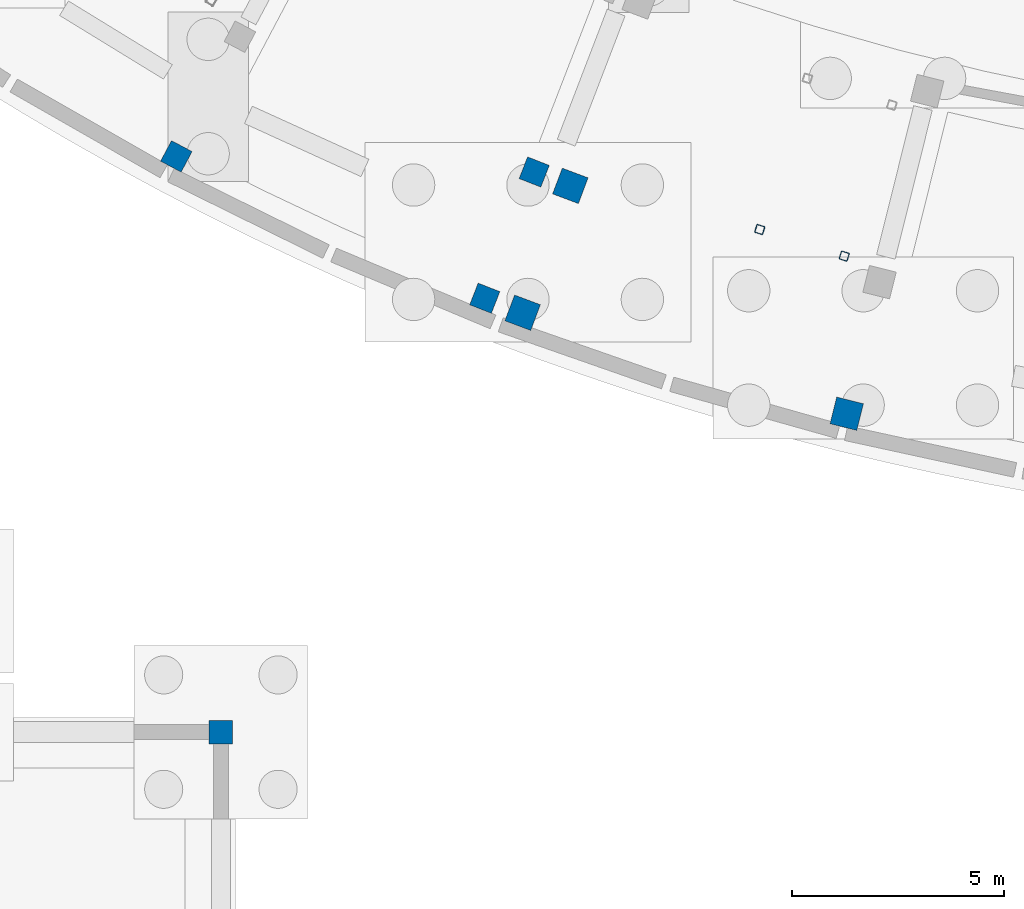
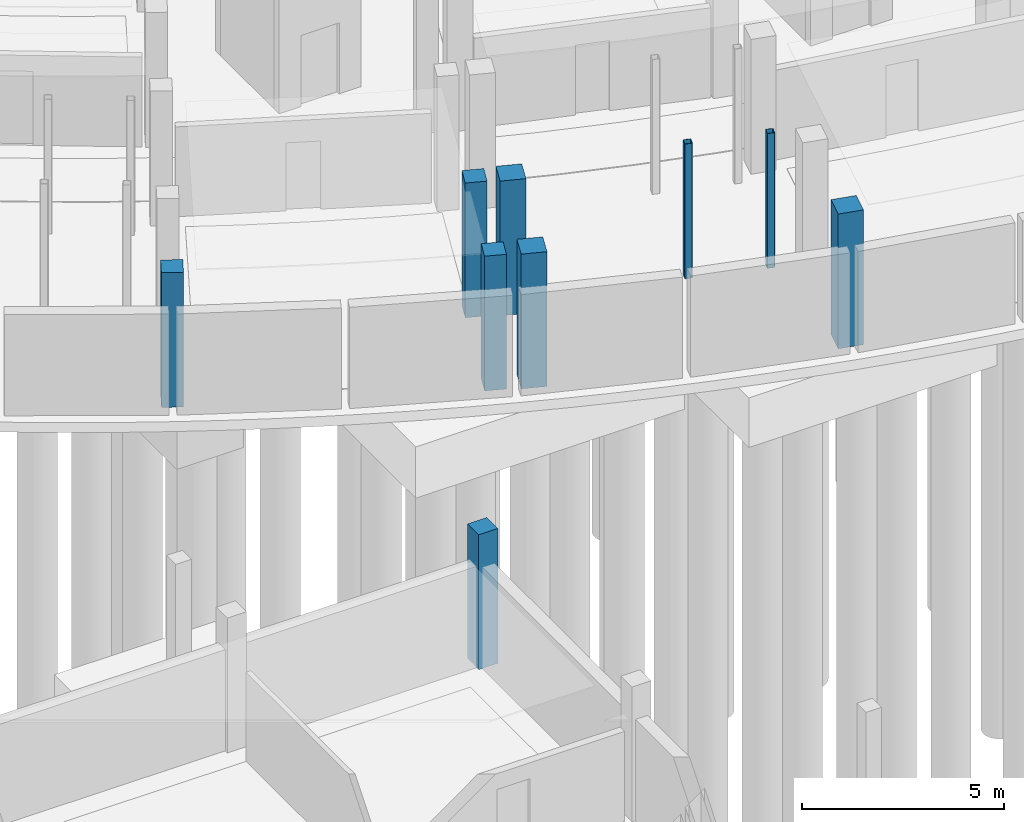
# One storey, part 11 of 58: 9 columns.
"""IFC4 building model written with IfcOpenShell, lengths in metres."""

from ifc_helpers import new_model, si_unit, direction, frame, origin, origin_2d, place, context, subcontext, project, spatial, rectangle, hollow_rectangle, extrude, material, material_profile, profile_set, type_object, element, save


model = new_model("IFC4")

# Units and contexts
model_context = context("Model", 3, precision=1e-05, world=origin(), true_north=direction((0.0, 1.0)))
body_context = subcontext(model_context, "Body", "Model", "MODEL_VIEW")
ifc_project = project(units=[si_unit("LENGTHUNIT", "METRE"), si_unit("AREAUNIT", "SQUARE_METRE"), si_unit("VOLUMEUNIT", "CUBIC_METRE"), si_unit("PLANEANGLEUNIT", "RADIAN"), si_unit("MASSUNIT", "GRAM", prefix="KILO")], contexts=[model_context])

# Site, building, storey
site_placement = place(None, origin())
site = spatial("IfcSite", under=ifc_project, at=site_placement, CompositionType="ELEMENT")
building_placement = place(site_placement, origin())
building = spatial("IfcBuilding", under=site, at=building_placement, Name="Caldaven Crescent School", CompositionType="ELEMENT")
storey_placement = place(building_placement, frame((0.0, 0.0, -4.080078125)))
storey = spatial("IfcBuildingStorey", under=building, at=storey_placement, Name="B1", CompositionType="ELEMENT", Elevation=-4.080078125)

# Columns
ifc_material_1 = material(Name="Steel ASTM A572 Grade 50", Category="steel")
ifc_material_profile_1 = material_profile(ifc_material_1, hollow_rectangle(XDim=0.199951171875, YDim=0.199951171875, WallThickness=0.010009765625, InnerFilletRadius=0.010009765625, OuterFilletRadius=0.02001953125, at=origin_2d()), Name="HSS 200x200x10")
ifc_profile_set_1 = profile_set([ifc_material_profile_1], Name="Steel ASTM A572 Grade 50")
column_type_1 = type_object("IfcColumnType", Name="COL-HS20", PredefinedType="COLUMN", material=ifc_profile_set_1)
for number, where, z_axis, x_axis, name in (
    (1, (69.12109375, 32.864990234375, 0.0), (0.0, 0.0, 1.0), (0.953716950748, -0.300705799504, 0.0), "COL-STPOST-ST2-B1-A"),
    (2, (71.114501953125, 32.236328125, 0.0), (0.0, 0.0, 1.0), (0.953716950748, -0.300705799504, 0.0), "COL-STPOST-ST2-B1-C"),
):
    element("IfcColumn", number, at=place(storey_placement, frame(where, z_axis=z_axis, x_axis=x_axis)), inside=storey, type_object=column_type_1, Name=name, PredefinedType="COLUMN", context=body_context, shape_type="SweptSolid", body=[
        extrude(hollow_rectangle(XDim=0.199951171875, YDim=0.199951171875, WallThickness=0.010009765625, InnerFilletRadius=0.010009765625, OuterFilletRadius=0.02001953125, at=origin_2d()), origin(), (0.0, 0.0, 1.0), 4.080078125),
    ])
ifc_material_2 = material(Name="Concrete C35/45", Category="concrete")
ifc_material_profile_2 = material_profile(ifc_material_2, rectangle(XDim=0.550048828125, YDim=0.550048828125, at=origin_2d()), Name="RC 550x550")
ifc_profile_set_2 = profile_set([ifc_material_profile_2], Name="Concrete C35/45")
column_type_2 = type_object("IfcColumnType", Name="COL-RC55", PredefinedType="COLUMN", material=ifc_profile_set_2)
for number, where, z_axis, x_axis, name in (
    (3, (56.39990234375, 21.0, 0.0), (0.0, 0.0, 1.0), (1.0, 0.0, 0.0), "COL-V4S-B1-4-3"),
    (4, (55.34814453125, 34.591064453125, 0.0), (0.0, 0.0, 1.0), (-0.469471562786, -0.882947592859, 0.0), "COL-V4W-B1-04-4"),
    (5, (63.79638671875, 34.22216796875, 0.0), (0.0, 0.0, 1.0), (-0.364714278886, -0.931119484694, 0.0), "COL-V4W-B1-05-3"),
    (6, (62.629150390625, 31.24267578125, 0.0), (0.0, 0.0, 1.0), (-0.364714278886, -0.931119484694, 0.0), "COL-V4W-B1-05-4"),
):
    element("IfcColumn", number, at=place(storey_placement, frame(where, z_axis=z_axis, x_axis=x_axis)), inside=storey, type_object=column_type_2, Name=name, PredefinedType="COLUMN", context=body_context, shape_type="SweptSolid", body=[
        extrude(rectangle(XDim=0.550048828125, YDim=0.550048828125, at=origin_2d()), origin(), (0.0, 0.0, 1.0), 4.080078125),
    ])
ifc_material_profile_3 = material_profile(ifc_material_2, rectangle(XDim=0.64990234375, YDim=0.64990234375, at=origin_2d()), Name="RC 650x650")
ifc_profile_set_3 = profile_set([ifc_material_profile_3], Name="Concrete C35/45")
column_type_3 = type_object("IfcColumnType", Name="COL-RC65", PredefinedType="COLUMN", material=ifc_profile_set_3)
for number, where, z_axis, x_axis, name in (
    (7, (64.6494140625, 33.894775390625, 0.0), (0.0, 0.0, 1.0), (-0.352005016254, -0.93599811353, 0.0), "COL-V5-B1-00-3"),
    (8, (63.523193359375, 30.8994140625, 0.0), (0.0, 0.0, 1.0), (-0.352005016254, -0.93599811353, 0.0), "COL-V5-B1-00-4"),
    (9, (71.17431640625, 28.515869140625, 0.0), (0.0, 0.0, 1.0), (-0.2419218956, -0.970295726276, 0.0), "COL-V5-B1-01-4"),
):
    element("IfcColumn", number, at=place(storey_placement, frame(where, z_axis=z_axis, x_axis=x_axis)), inside=storey, type_object=column_type_3, Name=name, PredefinedType="COLUMN", context=body_context, shape_type="SweptSolid", body=[
        extrude(rectangle(XDim=0.64990234375, YDim=0.64990234375, at=origin_2d()), origin(), (0.0, 0.0, 1.0), 4.080078125),
    ])

save(model, "model.ifc")
